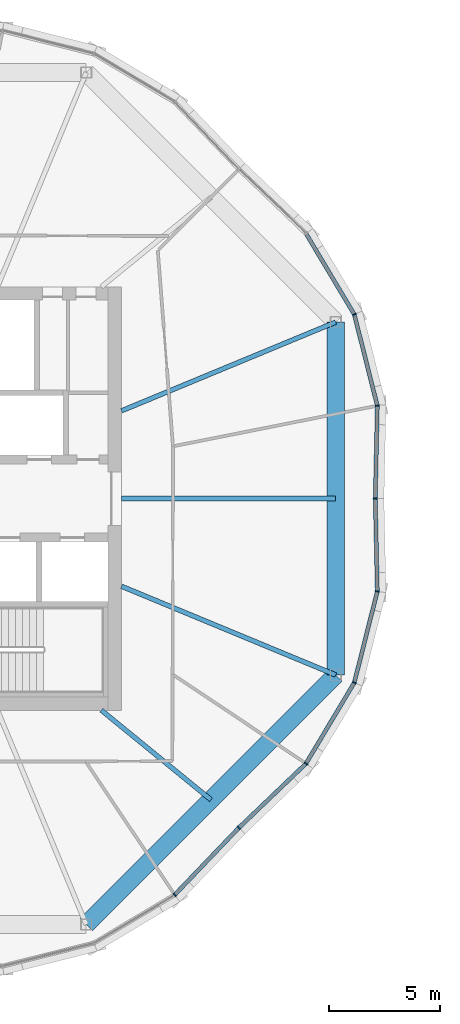
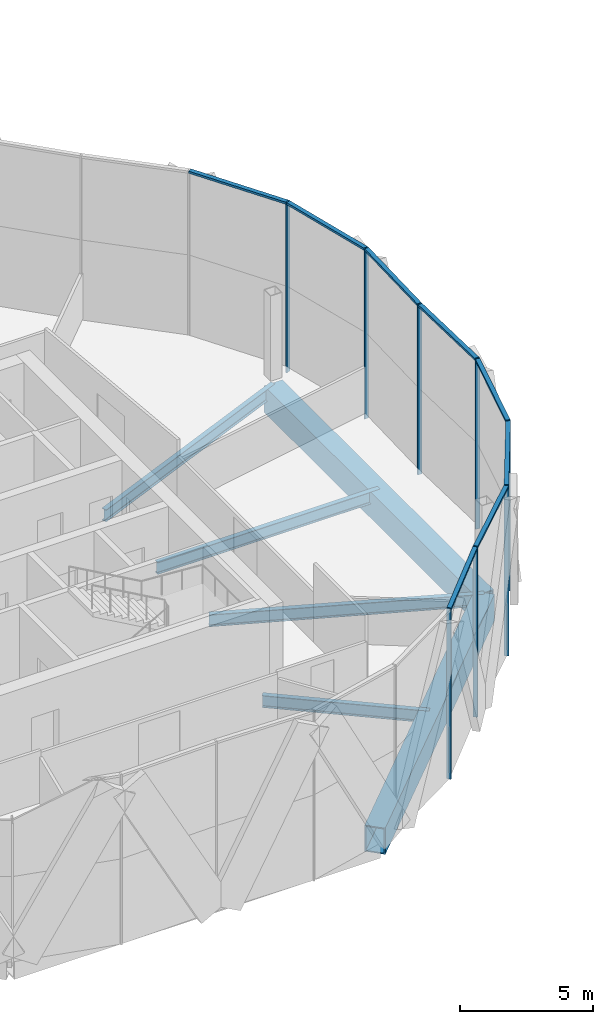
# One storey, part 6 of 26: 16 members, 6 beams, 3 elements without a shape of their own.
"""IFC4 building model written with IfcOpenShell, lengths in metres."""

from ifc_helpers import new_model, si_unit, direction, frame, origin, origin_2d, place, context, subcontext, project, spatial, rectangle, hollow_rectangle, i_section, extrude, material, material_profile, profile_set, type_object, element, aggregate, save


model = new_model("IFC4")

# Units and contexts
model_context = context("Model", 3, precision=1e-05, world=origin(), true_north=direction((0.0, 1.0)))
body_context = subcontext(model_context, "Body", "Model", "MODEL_VIEW")
ifc_project = project(units=[si_unit("LENGTHUNIT", "METRE"), si_unit("AREAUNIT", "SQUARE_METRE"), si_unit("VOLUMEUNIT", "CUBIC_METRE"), si_unit("PLANEANGLEUNIT", "RADIAN"), si_unit("MASSUNIT", "GRAM", prefix="KILO")], contexts=[model_context])

# Site, building, storey
site_placement = place(None, origin())
site = spatial("IfcSite", under=ifc_project, at=site_placement, CompositionType="ELEMENT")
building_placement = place(site_placement, origin())
building = spatial("IfcBuilding", under=site, at=building_placement, Name="Ogive Gate Towers", CompositionType="ELEMENT")
storey_placement = place(building_placement, frame((0.0, 0.0, 208.5)))
storey = spatial("IfcBuildingStorey", under=building, at=storey_placement, Name="L50", CompositionType="ELEMENT", Elevation=208.5)

# Beams
ifc_material_1 = material(Name="Steel SM460", Category="steel")
ifc_material_profile_1 = material_profile(ifc_material_1, hollow_rectangle(XDim=0.800048828125, YDim=1.199951171875, WallThickness=0.050048828125, at=origin_2d()), Name="BX 1200x800x50")
ifc_profile_set_1 = profile_set([ifc_material_profile_1], Name="Steel SM460")
beam_type_1 = type_object("IfcBeamType", Name="Edge girder BX 1200x800x50", PredefinedType="BEAM", material=ifc_profile_set_1)
beam_1_placement = place(storey_placement, frame((-28.082275390625, -19.114990234375, -0.89990234375), z_axis=(0.707106781187, 0.707106781187, 0.0), x_axis=(-0.707106781187, 0.707106781187, 0.0)))
element("IfcBeam", 1, at=beam_1_placement, inside=storey, type_object=beam_type_1, Name="T1/L50/SBM019", PredefinedType="BEAM", context=body_context, shape_type="SweptSolid", body=[
    extrude(hollow_rectangle(XDim=0.800048828125, YDim=1.199951171875, WallThickness=0.050048828125, at=origin_2d()), origin(), (0.0, 0.0, 1.0), 15.835205078125),
])
beam_2_placement = place(storey_placement, frame((-16.885009765625, -7.917724609375, -0.89990234375), z_axis=(0.0, 1.0, 0.0), x_axis=(-1.0, 0.0, 0.0)))
element("IfcBeam", 2, at=beam_2_placement, inside=storey, type_object=beam_type_1, Name="T1/L50/SBM020", PredefinedType="BEAM", context=body_context, shape_type="SweptSolid", body=[
    extrude(hollow_rectangle(XDim=0.800048828125, YDim=1.199951171875, WallThickness=0.050048828125, at=origin_2d()), origin(), (0.0, 0.0, 1.0), 15.83544921875),
])
ifc_material_2 = material(Name="Steel SM355", Category="steel")
ifc_material_profile_2 = material_profile(ifc_material_2, i_section(OverallWidth=0.2099609375, OverallDepth=0.550048828125, WebThickness=0.010986328125, FlangeThickness=0.01708984375, FilletRadius=0.02392578125, at=origin_2d()), Name="IPE 550")
ifc_profile_set_2 = profile_set([ifc_material_profile_2], Name="Steel SM355")
beam_type_2 = type_object("IfcBeamType", Name="Radial floor beam IPE 550", PredefinedType="BEAM", material=ifc_profile_set_2)
beam_3_placement = place(storey_placement, frame((-27.39990234375, -9.5, -0.574951171875), z_axis=(0.77442315148, -0.632667987535, 0.0), x_axis=(0.632667987535, 0.77442315148, 0.0)))
element("IfcBeam", 3, at=beam_3_placement, inside=storey, type_object=beam_type_2, Name="T1/L50/SBM006", PredefinedType="BEAM", context=body_context, shape_type="SweptSolid", body=[
    extrude(i_section(OverallWidth=0.2099609375, OverallDepth=0.550048828125, WebThickness=0.010986328125, FlangeThickness=0.01708984375, FilletRadius=0.02392578125, at=origin_2d()), origin(), (0.0, 0.0, 1.0), 6.348388671875),
])
beam_4_placement = place(storey_placement, frame((-26.5, -3.93505859375, -0.574951171875), z_axis=(0.92387930631, -0.382683978464, 0.0), x_axis=(0.382683978464, 0.92387930631, 0.0)))
element("IfcBeam", 4, at=beam_4_placement, inside=storey, type_object=beam_type_2, Name="T1/L50/SBM007", PredefinedType="BEAM", context=body_context, shape_type="SweptSolid", body=[
    extrude(i_section(OverallWidth=0.2099609375, OverallDepth=0.550048828125, WebThickness=0.010986328125, FlangeThickness=0.01708984375, FilletRadius=0.02392578125, at=origin_2d()), origin(), (0.0, 0.0, 1.0), 10.4072265625),
])
beam_5_placement = place(storey_placement, frame((-26.5, 0.0, -0.574951171875), z_axis=(1.0, 0.0, 0.0), x_axis=(0.0, 1.0, 0.0)))
element("IfcBeam", 5, at=beam_5_placement, inside=storey, type_object=beam_type_2, Name="T1/L50/SBM008", PredefinedType="BEAM", context=body_context, shape_type="SweptSolid", body=[
    extrude(i_section(OverallWidth=0.2099609375, OverallDepth=0.550048828125, WebThickness=0.010986328125, FlangeThickness=0.01708984375, FilletRadius=0.02392578125, at=origin_2d()), origin(), (0.0, 0.0, 1.0), 9.614990234375),
])
beam_6_placement = place(storey_placement, frame((-26.5, 3.93505859375, -0.574951171875), z_axis=(0.92387930631, 0.382683978464, 0.0), x_axis=(-0.382683978464, 0.92387930631, 0.0)))
element("IfcBeam", 6, at=beam_6_placement, inside=storey, type_object=beam_type_2, Name="T1/L50/SBM009", PredefinedType="BEAM", context=body_context, shape_type="SweptSolid", body=[
    extrude(i_section(OverallWidth=0.2099609375, OverallDepth=0.550048828125, WebThickness=0.010986328125, FlangeThickness=0.01708984375, FilletRadius=0.02392578125, at=origin_2d()), origin(), (0.0, 0.0, 1.0), 10.4072265625),
])

# Curtain wall, members
ifc_material_3 = material(Name="Pale metal aluminium", Category="aluminium")
curtain_wall_type = type_object("IfcCurtainWallType", Name="Tower unitised wall, high zone", PredefinedType="NOTDEFINED", material=ifc_material_3)
curtain_wall_1_placement = place(storey_placement, origin())
curtain_wall_1 = element("IfcCurtainWall", 7, at=curtain_wall_1_placement, inside=storey, type_object=curtain_wall_type, Name="CW2 T1 ECW01", PredefinedType="NOTDEFINED")
ifc_material_profile_3 = material_profile(ifc_material_3, rectangle(XDim=0.179931640625, YDim=0.06005859375, at=origin_2d()), Name="60 x 180 aluminium box")
ifc_profile_set_3 = profile_set([ifc_material_profile_3], Name="Pale metal aluminium")
member_type_1 = type_object("IfcMemberType", Name="Tower unitised wall, high zone mullion 60 x 180", PredefinedType="MULLION", material=ifc_profile_set_3)
member_1_placement = place(storey_placement, frame((-15.110107421875, 0.000244140625, -0.300048828125), z_axis=(0.0, 0.0, 1.0), x_axis=(0.999761646186, -0.02183233417, 0.0)))
member_1 = element("IfcMember", 8, at=member_1_placement, type_object=member_type_1, Name="CW2 mullion", PredefinedType="MULLION", context=body_context, shape_type="SweptSolid", body=[
    extrude(rectangle(XDim=0.179931640625, YDim=0.06005859375, at=origin_2d()), origin(), (0.0, 0.0, 1.0), 7.800048828125),
])
member_2_placement = place(storey_placement, frame((-15.018798828125, 4.165771484375, -0.300048828125), z_axis=(0.0, 0.0, 1.0), x_axis=(0.993662420818, 0.112405486759, 0.0)))
member_2 = element("IfcMember", 9, at=member_2_placement, type_object=member_type_1, Name="CW2 mullion", PredefinedType="MULLION", context=body_context, shape_type="SweptSolid", body=[
    extrude(rectangle(XDim=0.179931640625, YDim=0.06005859375, at=origin_2d()), origin(), (0.0, 0.0, 1.0), 7.800048828125),
])
member_3_placement = place(storey_placement, frame((-16.052490234375, 8.2626953125, -0.300048828125), z_axis=(0.0, 0.0, 1.0), x_axis=(0.923879532511, 0.382683432365, 0.0)))
member_3 = element("IfcMember", 10, at=member_3_placement, type_object=member_type_1, Name="CW2 mullion", PredefinedType="MULLION", context=body_context, shape_type="SweptSolid", body=[
    extrude(rectangle(XDim=0.179931640625, YDim=0.06005859375, at=origin_2d()), origin(), (0.0, 0.0, 1.0), 7.800048828125),
])

curtain_wall_2_placement = place(storey_placement, origin())
curtain_wall_2 = element("IfcCurtainWall", 11, at=curtain_wall_2_placement, inside=storey, type_object=curtain_wall_type, Name="CW2 T1 ECW07", PredefinedType="NOTDEFINED")
member_4_placement = place(storey_placement, frame((-24.109619140625, -17.781494140625, -0.300048828125), z_axis=(0.0, 0.0, 1.0), x_axis=(0.623156404308, -0.782097241889, 0.0)))
member_4 = element("IfcMember", 12, at=member_4_placement, type_object=member_type_1, Name="CW2 mullion", PredefinedType="MULLION", context=body_context, shape_type="SweptSolid", body=[
    extrude(rectangle(XDim=0.179931640625, YDim=0.06005859375, at=origin_2d()), origin(), (0.0, 0.0, 1.0), 7.800048828125),
])
member_5_placement = place(storey_placement, frame((-21.228759765625, -14.771484375, -0.300048828125), z_axis=(0.0, 0.0, 1.0), x_axis=(0.722376031129, -0.691500448047, 0.0)))
member_5 = element("IfcMember", 13, at=member_5_placement, type_object=member_type_1, Name="CW2 mullion", PredefinedType="MULLION", context=body_context, shape_type="SweptSolid", body=[
    extrude(rectangle(XDim=0.179931640625, YDim=0.06005859375, at=origin_2d()), origin(), (0.0, 0.0, 1.0), 7.800048828125),
])

curtain_wall_3_placement = place(storey_placement, origin())
curtain_wall_3 = element("IfcCurtainWall", 14, at=curtain_wall_3_placement, inside=storey, type_object=curtain_wall_type, Name="CW2 T1 ECW08", PredefinedType="NOTDEFINED")
member_6_placement = place(storey_placement, frame((-18.218505859375, -11.890380859375, -0.300048828125), z_axis=(0.0, 0.0, 1.0), x_axis=(0.782097241889, -0.623156404308, 0.0)))
member_6 = element("IfcMember", 15, at=member_6_placement, type_object=member_type_1, Name="CW2 mullion", PredefinedType="MULLION", context=body_context, shape_type="SweptSolid", body=[
    extrude(rectangle(XDim=0.179931640625, YDim=0.06005859375, at=origin_2d()), origin(), (0.0, 0.0, 1.0), 7.800048828125),
])
member_7_placement = place(storey_placement, frame((-16.052490234375, -8.2626953125, -0.300048828125), z_axis=(0.0, 0.0, 1.0), x_axis=(0.923879532511, -0.382683432365, 0.0)))
member_7 = element("IfcMember", 16, at=member_7_placement, type_object=member_type_1, Name="CW2 mullion", PredefinedType="MULLION", context=body_context, shape_type="SweptSolid", body=[
    extrude(rectangle(XDim=0.179931640625, YDim=0.06005859375, at=origin_2d()), origin(), (0.0, 0.0, 1.0), 7.800048828125),
])
member_8_placement = place(storey_placement, frame((-15.018798828125, -4.165771484375, -0.300048828125), z_axis=(0.0, 0.0, 1.0), x_axis=(0.993662420818, -0.112405486759, 0.0)))
member_8 = element("IfcMember", 17, at=member_8_placement, type_object=member_type_1, Name="CW2 mullion", PredefinedType="MULLION", context=body_context, shape_type="SweptSolid", body=[
    extrude(rectangle(XDim=0.179931640625, YDim=0.06005859375, at=origin_2d()), origin(), (0.0, 0.0, 1.0), 7.800048828125),
])

# Member
ifc_material_profile_4 = material_profile(ifc_material_3, rectangle(XDim=0.179931640625, YDim=0.10009765625, at=origin_2d()), Name="100 x 180 aluminium box")
ifc_profile_set_4 = profile_set([ifc_material_profile_4], Name="Pale metal aluminium")
member_type_2 = type_object("IfcMemberType", Name="Tower unitised wall, high zone transom 100 x 180", PredefinedType="USERDEFINED", material=ifc_profile_set_4)
member_9_placement = place(storey_placement, frame((-15.109375, 0.0302734375, 7.449951171875), z_axis=(0.021812774558, 0.999762073128, 0.0), x_axis=(-0.999762073128, 0.021812774558, 0.0)))
member_9 = element("IfcMember", 18, at=member_9_placement, type_object=member_type_2, Name="CW2 transom", ObjectType="TRANSOM", PredefinedType="USERDEFINED", context=body_context, shape_type="SweptSolid", body=[
    extrude(rectangle(XDim=0.179931640625, YDim=0.10009765625, at=origin_2d()), origin(), (0.0, 0.0, 1.0), 4.107666015625),
])

member_10_placement = place(storey_placement, frame((-15.02587890625, 4.193359375, 7.449951171875), z_axis=(-0.244657437312, 0.969609580382, 0.0), x_axis=(-0.969609580382, -0.244657437312, 0.0)))
member_10 = element("IfcMember", 19, at=member_10_placement, type_object=member_type_2, Name="CW2 transom", ObjectType="TRANSOM", PredefinedType="USERDEFINED", context=body_context, shape_type="SweptSolid", body=[
    extrude(rectangle(XDim=0.179931640625, YDim=0.10009765625, at=origin_2d()), origin(), (0.0, 0.0, 1.0), 4.168212890625),
])

member_11_placement = place(storey_placement, frame((-16.067138671875, 8.287109375, 7.449951171875), z_axis=(-0.512720130278, 0.858555803666, 0.0), x_axis=(-0.858555803666, -0.512720130278, 0.0)))
member_11 = element("IfcMember", 20, at=member_11_placement, type_object=member_type_2, Name="CW2 transom", ObjectType="TRANSOM", PredefinedType="USERDEFINED", context=body_context, shape_type="SweptSolid", body=[
    extrude(rectangle(XDim=0.179931640625, YDim=0.10009765625, at=origin_2d()), origin(), (0.0, 0.0, 1.0), 4.16796875),
])

aggregate(curtain_wall_1, [member_1, member_2, member_9, member_3, member_10, member_11])

member_12_placement = place(storey_placement, frame((-24.090087890625, -17.760498046875, 7.449951171875), z_axis=(0.691515417893, 0.722361700823, 0.0), x_axis=(-0.722361700823, 0.691515417893, 0.0)))
member_12 = element("IfcMember", 21, at=member_12_placement, type_object=member_type_2, Name="CW2 transom", ObjectType="TRANSOM", PredefinedType="USERDEFINED", context=body_context, shape_type="SweptSolid", body=[
    extrude(rectangle(XDim=0.179931640625, YDim=0.10009765625, at=origin_2d()), origin(), (0.0, 0.0, 1.0), 4.107666015625),
])

aggregate(curtain_wall_2, [member_4, member_5, member_12])

member_13_placement = place(storey_placement, frame((-21.206787109375, -14.75048828125, 7.449951171875), z_axis=(0.722361700823, 0.691515417893, 0.0), x_axis=(-0.691515417893, 0.722361700823, 0.0)))
member_13 = element("IfcMember", 22, at=member_13_placement, type_object=member_type_2, Name="CW2 transom", ObjectType="TRANSOM", PredefinedType="USERDEFINED", context=body_context, shape_type="SweptSolid", body=[
    extrude(rectangle(XDim=0.179931640625, YDim=0.10009765625, at=origin_2d()), origin(), (0.0, 0.0, 1.0), 4.107666015625),
])

member_14_placement = place(storey_placement, frame((-18.2041015625, -11.865478515625, 7.449951171875), z_axis=(0.512720130278, 0.858555803666, 0.0), x_axis=(-0.858555803666, 0.512720130278, 0.0)))
member_14 = element("IfcMember", 23, at=member_14_placement, type_object=member_type_2, Name="CW2 transom", ObjectType="TRANSOM", PredefinedType="USERDEFINED", context=body_context, shape_type="SweptSolid", body=[
    extrude(rectangle(XDim=0.179931640625, YDim=0.10009765625, at=origin_2d()), origin(), (0.0, 0.0, 1.0), 4.16796875),
])

member_15_placement = place(storey_placement, frame((-16.045654296875, -8.23486328125, 7.449951171875), z_axis=(0.244657437312, 0.969609580382, 0.0), x_axis=(-0.969609580382, 0.244657437312, 0.0)))
member_15 = element("IfcMember", 24, at=member_15_placement, type_object=member_type_2, Name="CW2 transom", ObjectType="TRANSOM", PredefinedType="USERDEFINED", context=body_context, shape_type="SweptSolid", body=[
    extrude(rectangle(XDim=0.179931640625, YDim=0.10009765625, at=origin_2d()), origin(), (0.0, 0.0, 1.0), 4.168212890625),
])

member_16_placement = place(storey_placement, frame((-15.019775390625, -4.136962890625, 7.449951171875), z_axis=(-0.021812774558, 0.999762073128, 0.0), x_axis=(-0.999762073128, -0.021812774558, 0.0)))
member_16 = element("IfcMember", 25, at=member_16_placement, type_object=member_type_2, Name="CW2 transom", ObjectType="TRANSOM", PredefinedType="USERDEFINED", context=body_context, shape_type="SweptSolid", body=[
    extrude(rectangle(XDim=0.179931640625, YDim=0.10009765625, at=origin_2d()), origin(), (0.0, 0.0, 1.0), 4.107666015625),
])

aggregate(curtain_wall_3, [member_6, member_13, member_7, member_14, member_8, member_15, member_16])

save(model, "model.ifc")
